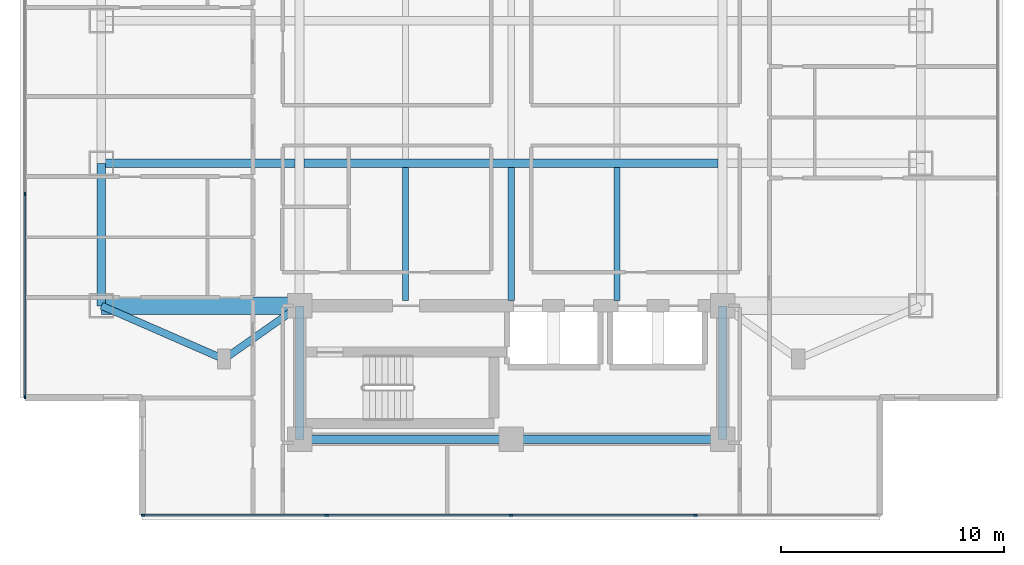
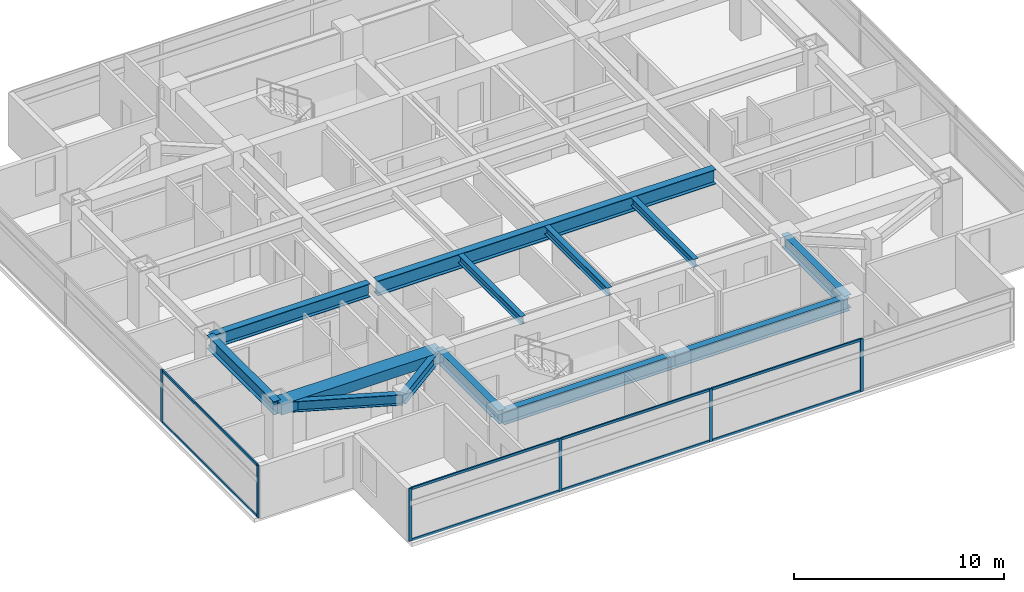
# One storey, part 2 of 24: 14 members, 13 beams, 2 elements without a shape of their own.
"""IFC4 building model written with IfcOpenShell, lengths in metres."""

from ifc_helpers import new_model, si_unit, direction, frame, origin, origin_2d, place, context, subcontext, project, spatial, rectangle, i_section, extrude, material, material_profile, profile_set, type_object, element, aggregate, save


model = new_model("IFC4")

# Units and contexts
model_context = context("Model", 3, precision=1e-05, world=origin(), true_north=direction((0.0, 1.0)))
body_context = subcontext(model_context, "Body", "Model", "MODEL_VIEW")
ifc_project = project(units=[si_unit("LENGTHUNIT", "METRE"), si_unit("AREAUNIT", "SQUARE_METRE"), si_unit("VOLUMEUNIT", "CUBIC_METRE"), si_unit("PLANEANGLEUNIT", "RADIAN"), si_unit("MASSUNIT", "GRAM", prefix="KILO")], contexts=[model_context])

# Site, building, storey
site_placement = place(None, origin())
site = spatial("IfcSite", under=ifc_project, at=site_placement, CompositionType="ELEMENT")
building_placement = place(site_placement, origin())
building = spatial("IfcBuilding", under=site, at=building_placement, Name="Mirazonda Arch Towers", CompositionType="ELEMENT")
storey_placement = place(building_placement, frame((0.0, 0.0, 141.199951171875)))
storey = spatial("IfcBuildingStorey", under=building, at=storey_placement, Name="L40", CompositionType="ELEMENT", Elevation=141.199951171875)

# Beams
ifc_material_1 = material(Name="Steel ASTM A992 Grade 50", Category="steel")
ifc_material_profile_1 = material_profile(ifc_material_1, i_section(OverallWidth=0.381103515625, OverallDepth=0.77294921875, WebThickness=0.0166015625, FlangeThickness=0.027099609375, at=origin_2d()), Name="W30X173")
ifc_profile_set_1 = profile_set([ifc_material_profile_1], Name="Steel ASTM A992 Grade 50")
beam_type_1 = type_object("IfcBeamType", Name="BM-EXT-W30X173", PredefinedType="USERDEFINED", material=ifc_profile_set_1)
beam_1_placement = place(storey_placement, frame((2.10009765625, 18.39990234375, 2.693603515625), z_axis=(0.0, 1.0, 0.0), x_axis=(-1.0, 0.0, 0.0)))
element("IfcBeam", 1, at=beam_1_placement, inside=storey, type_object=beam_type_1, Name="L40 Floor Beam BM-T1-L40-NS-W-18", ObjectType="GIRDER", PredefinedType="USERDEFINED", context=body_context, shape_type="SweptSolid", body=[
    extrude(i_section(OverallWidth=0.381103515625, OverallDepth=0.77294921875, WebThickness=0.0166015625, FlangeThickness=0.027099609375, at=origin_2d()), origin(), (0.0, 0.0, 1.0), 6.400146484375),
])
ifc_material_profile_2 = material_profile(ifc_material_1, i_section(OverallWidth=0.280029296875, OverallDepth=0.462890625, WebThickness=0.0107421875, FlangeThickness=0.017333984375, at=origin_2d()), Name="W18X76")
ifc_profile_set_2 = profile_set([ifc_material_profile_2], Name="Steel ASTM A992 Grade 50")
beam_type_2 = type_object("IfcBeamType", Name="BM-INT-W18X76", PredefinedType="JOIST", material=ifc_profile_set_2)
for number, where, z_axis, x_axis, name in (
    (2, (15.75, 18.639892578125, 2.8486328125), (0.0, 1.0, 0.0), (-1.0, 0.0, 0.0), "L40 Floor Beam BM-T1-L40-J-157-18"),
    (3, (20.5, 18.639892578125, 2.8486328125), (0.0, 1.0, 0.0), (-1.0, 0.0, 0.0), "L40 Floor Beam BM-T1-L40-J-205-18"),
    (4, (25.25, 18.639892578125, 2.8486328125), (0.0, 1.0, 0.0), (-1.0, 0.0, 0.0), "L40 Floor Beam BM-T1-L40-J-252-18"),
):
    element("IfcBeam", number, at=place(storey_placement, frame(where, z_axis=z_axis, x_axis=x_axis)), inside=storey, type_object=beam_type_2, Name=name, PredefinedType="JOIST", context=body_context, shape_type="SweptSolid", body=[
        extrude(i_section(OverallWidth=0.280029296875, OverallDepth=0.462890625, WebThickness=0.0107421875, FlangeThickness=0.017333984375, at=origin_2d()), origin(), (0.0, 0.0, 1.0), 5.964111328125),
    ])
ifc_material_profile_3 = material_profile(ifc_material_1, i_section(OverallWidth=0.324951171875, OverallDepth=0.615966796875, WebThickness=0.013916015625, FlangeThickness=0.021484375, at=origin_2d()), Name="W24X117")
ifc_profile_set_3 = profile_set([ifc_material_profile_3], Name="Steel ASTM A992 Grade 50")
beam_type_3 = type_object("IfcBeamType", Name="BM-INT-W24X117", PredefinedType="BEAM", material=ifc_profile_set_3)
beam_2_placement = place(storey_placement, frame((7.60009765625, 16.0, 2.77197265625), z_axis=(0.816971114901, 0.576678591087, 0.0), x_axis=(-0.576678591087, 0.816971114901, 0.0)))
element("IfcBeam", 5, at=beam_2_placement, inside=storey, type_object=beam_type_3, Name="L40 Floor Beam BM-T1-L40-PL-SW1", PredefinedType="BEAM", context=body_context, shape_type="SweptSolid", body=[
    extrude(i_section(OverallWidth=0.324951171875, OverallDepth=0.615966796875, WebThickness=0.013916015625, FlangeThickness=0.021484375, at=origin_2d()), origin(), (0.0, 0.0, 1.0), 4.16162109375),
])
beam_3_placement = place(storey_placement, frame((7.60009765625, 16.0, 2.77197265625), z_axis=(-0.916545343703, 0.399930785183, 0.0), x_axis=(-0.399930785183, -0.916545343703, 0.0)))
element("IfcBeam", 6, at=beam_3_placement, inside=storey, type_object=beam_type_3, Name="L40 Floor Beam BM-T1-L40-PL-SW2", PredefinedType="BEAM", context=body_context, shape_type="SweptSolid", body=[
    extrude(i_section(OverallWidth=0.324951171875, OverallDepth=0.615966796875, WebThickness=0.013916015625, FlangeThickness=0.021484375, at=origin_2d()), origin(), (0.0, 0.0, 1.0), 6.000732421875),
])
ifc_material_profile_4 = material_profile(ifc_material_1, i_section(OverallWidth=0.381103515625, OverallDepth=0.77294921875, WebThickness=0.0166015625, FlangeThickness=0.027099609375, at=origin_2d()), Name="W30X173")
ifc_profile_set_4 = profile_set([ifc_material_profile_4], Name="Steel ASTM A992 Grade 50")
beam_type_4 = type_object("IfcBeamType", Name="BM-INT-W30X173", PredefinedType="USERDEFINED", material=ifc_profile_set_4)
beam_4_placement = place(storey_placement, frame((2.10009765625, 24.800048828125, 2.693603515625), z_axis=(1.0, 0.0, 0.0), x_axis=(0.0, 1.0, 0.0)))
element("IfcBeam", 7, at=beam_4_placement, inside=storey, type_object=beam_type_4, Name="L40 Floor Beam BM-T1-L40-GW2", ObjectType="GIRDER", PredefinedType="USERDEFINED", context=body_context, shape_type="SweptSolid", body=[
    extrude(i_section(OverallWidth=0.381103515625, OverallDepth=0.77294921875, WebThickness=0.0166015625, FlangeThickness=0.027099609375, at=origin_2d()), origin(), (0.0, 0.0, 1.0), 8.699951171875),
])
for number, where, z_axis, x_axis, name in (
    (8, (11.0, 12.39990234375, 2.693603515625), (1.0, 0.0, 0.0), (0.0, 1.0, 0.0), "L40 Floor Beam BM-T1-L40-CS1"),
    (9, (20.5, 12.39990234375, 2.693603515625), (1.0, 0.0, 0.0), (0.0, 1.0, 0.0), "L40 Floor Beam BM-T1-L40-CS2"),
):
    element("IfcBeam", number, at=place(storey_placement, frame(where, z_axis=z_axis, x_axis=x_axis)), inside=storey, type_object=beam_type_4, Name=name, ObjectType="GIRDER", PredefinedType="USERDEFINED", context=body_context, shape_type="SweptSolid", body=[
        extrude(i_section(OverallWidth=0.381103515625, OverallDepth=0.77294921875, WebThickness=0.0166015625, FlangeThickness=0.027099609375, at=origin_2d()), origin(), (0.0, 0.0, 1.0), 9.5),
    ])
for number, where, z_axis, x_axis, name in (
    (10, (11.0, 12.39990234375, 2.693603515625), (0.0, 1.0, 0.0), (-1.0, 0.0, 0.0), "L40 Floor Beam BM-T1-L40-CSW"),
    (11, (30.0, 12.39990234375, 2.693603515625), (0.0, 1.0, 0.0), (-1.0, 0.0, 0.0), "L40 Floor Beam BM-T1-L40-CSE"),
):
    element("IfcBeam", number, at=place(storey_placement, frame(where, z_axis=z_axis, x_axis=x_axis)), inside=storey, type_object=beam_type_4, Name=name, ObjectType="GIRDER", PredefinedType="USERDEFINED", context=body_context, shape_type="SweptSolid", body=[
        extrude(i_section(OverallWidth=0.381103515625, OverallDepth=0.77294921875, WebThickness=0.0166015625, FlangeThickness=0.027099609375, at=origin_2d()), origin(), (0.0, 0.0, 1.0), 6.0),
    ])
ifc_material_profile_5 = material_profile(ifc_material_1, i_section(OverallWidth=0.39990234375, OverallDepth=0.85595703125, WebThickness=0.018310546875, FlangeThickness=0.029296875, at=origin_2d()), Name="W33X201")
ifc_profile_set_5 = profile_set([ifc_material_profile_5], Name="Steel ASTM A992 Grade 50")
beam_type_5 = type_object("IfcBeamType", Name="BM-INT-W33X201", PredefinedType="USERDEFINED", material=ifc_profile_set_5)
beam_5_placement = place(storey_placement, frame((11.199951171875, 24.800048828125, 2.652099609375), z_axis=(1.0, 0.0, 0.0), x_axis=(0.0, 1.0, 0.0)))
element("IfcBeam", 12, at=beam_5_placement, inside=storey, type_object=beam_type_5, Name="L40 Floor Beam BM-T1-L40-GC2", ObjectType="GIRDER", PredefinedType="USERDEFINED", context=body_context, shape_type="SweptSolid", body=[
    extrude(i_section(OverallWidth=0.39990234375, OverallDepth=0.85595703125, WebThickness=0.018310546875, FlangeThickness=0.029296875, at=origin_2d()), origin(), (0.0, 0.0, 1.0), 18.60009765625),
])
ifc_material_2 = material(Name="Concrete C60/75", Category="concrete")
ifc_material_profile_6 = material_profile(ifc_material_2, rectangle(XDim=0.800048828125, YDim=0.60009765625, at=origin_2d()), Name="RCCB800x600")
ifc_profile_set_6 = profile_set([ifc_material_profile_6], Name="Concrete C60/75")
beam_type_6 = type_object("IfcBeamType", Name="CB-INT-RCCB800x600", PredefinedType="SPANDREL", material=ifc_profile_set_6)
beam_6_placement = place(storey_placement, frame((2.10009765625, 18.39990234375, 2.780029296875), z_axis=(1.0, 0.0, 0.0), x_axis=(0.0, 1.0, 0.0)))
element("IfcBeam", 13, at=beam_6_placement, inside=storey, type_object=beam_type_6, Name="L40 Floor Beam CBC-T1-L40-SW", PredefinedType="SPANDREL", context=body_context, shape_type="SweptSolid", body=[
    extrude(rectangle(XDim=0.800048828125, YDim=0.60009765625, at=origin_2d()), origin(), (0.0, 0.0, 1.0), 8.89990234375),
])

# Curtain wall, members
ifc_material_3 = material(Name="Anodised Aluminium and Low-E Glass", Category="aluminium")
curtain_wall_type = type_object("IfcCurtainWallType", Name="CW-HTL-UNIT", PredefinedType="NOTDEFINED", material=ifc_material_3)
curtain_wall_1_placement = place(storey_placement, origin())
curtain_wall_1 = element("IfcCurtainWall", 14, at=curtain_wall_1_placement, inside=storey, type_object=curtain_wall_type, Name="L40 T1 S Facade CW-L40-T1-S", PredefinedType="NOTDEFINED")
ifc_material_4 = material(Name="Anodised Aluminium Alloy", Category="aluminium")
ifc_material_profile_7 = material_profile(ifc_material_4, rectangle(XDim=0.074951171875, YDim=0.1650390625, at=origin_2d()), Name="ALU-MULL-75x165")
ifc_profile_set_7 = profile_set([ifc_material_profile_7], Name="Anodised Aluminium Alloy")
member_type_1 = type_object("IfcMemberType", Name="MULL-CW-HTL-UNIT", PredefinedType="MULLION", material=ifc_profile_set_7)
member_1_placement = place(storey_placement, frame((28.784912109375, 8.993896484375, 0.0), z_axis=(0.0, 0.0, 1.0), x_axis=(0.0, -1.0, 0.0)))
member_1 = element("IfcMember", 15, at=member_1_placement, type_object=member_type_1, Name="CW-112 mullion 2", PredefinedType="MULLION", context=body_context, shape_type="SweptSolid", body=[
    extrude(rectangle(XDim=0.074951171875, YDim=0.1650390625, at=origin_2d()), origin(), (0.0, 0.0, 1.0), 3.06005859375),
])
member_2_placement = place(storey_placement, frame((20.5, 8.993896484375, 0.0), z_axis=(0.0, 0.0, 1.0), x_axis=(0.0, -1.0, 0.0)))
member_2 = element("IfcMember", 16, at=member_2_placement, type_object=member_type_1, Name="CW-112 mullion 3", PredefinedType="MULLION", context=body_context, shape_type="SweptSolid", body=[
    extrude(rectangle(XDim=0.074951171875, YDim=0.1650390625, at=origin_2d()), origin(), (0.0, 0.0, 1.0), 3.06005859375),
])
member_3_placement = place(storey_placement, frame((12.215087890625, 8.993896484375, 0.0), z_axis=(0.0, 0.0, 1.0), x_axis=(0.0, -1.0, 0.0)))
member_3 = element("IfcMember", 17, at=member_3_placement, type_object=member_type_1, Name="CW-112 mullion 4", PredefinedType="MULLION", context=body_context, shape_type="SweptSolid", body=[
    extrude(rectangle(XDim=0.074951171875, YDim=0.1650390625, at=origin_2d()), origin(), (0.0, 0.0, 1.0), 3.06005859375),
])
member_4_placement = place(storey_placement, frame((3.967529296875, 8.993896484375, 0.0), z_axis=(0.0, 0.0, 1.0), x_axis=(0.0, -1.0, 0.0)))
member_4 = element("IfcMember", 18, at=member_4_placement, type_object=member_type_1, Name="CW-112 mullion 5", PredefinedType="MULLION", context=body_context, shape_type="SweptSolid", body=[
    extrude(rectangle(XDim=0.074951171875, YDim=0.1650390625, at=origin_2d()), origin(), (0.0, 0.0, 1.0), 3.06005859375),
])

curtain_wall_2_placement = place(storey_placement, origin())
curtain_wall_2 = element("IfcCurtainWall", 19, at=curtain_wall_2_placement, inside=storey, type_object=curtain_wall_type, Name="L40 T1 W Facade CW-L40-T1-W", PredefinedType="NOTDEFINED")
member_5_placement = place(storey_placement, frame((-1.340087890625, 23.42138671875, 0.0), z_axis=(0.0, 0.0, 1.0), x_axis=(1.0, 0.0, 0.0)))
member_5 = element("IfcMember", 20, at=member_5_placement, type_object=member_type_1, Name="CW-112 mullion 3", PredefinedType="MULLION", context=body_context, shape_type="SweptSolid", body=[
    extrude(rectangle(XDim=0.074951171875, YDim=0.1650390625, at=origin_2d()), origin(), (0.0, 0.0, 1.0), 3.06005859375),
])
member_6_placement = place(storey_placement, frame((-1.340087890625, 14.301513671875, 0.0), z_axis=(0.0, 0.0, 1.0), x_axis=(1.0, 0.0, 0.0)))
member_6 = element("IfcMember", 21, at=member_6_placement, type_object=member_type_1, Name="CW-112 mullion 4", PredefinedType="MULLION", context=body_context, shape_type="SweptSolid", body=[
    extrude(rectangle(XDim=0.074951171875, YDim=0.1650390625, at=origin_2d()), origin(), (0.0, 0.0, 1.0), 3.06005859375),
])

# Member
ifc_material_profile_8 = material_profile(ifc_material_4, rectangle(XDim=0.074951171875, YDim=0.14501953125, at=origin_2d()), Name="ALU-TRAN-75x145")
ifc_profile_set_8 = profile_set([ifc_material_profile_8], Name="Anodised Aluminium Alloy")
member_type_2 = type_object("IfcMemberType", Name="TRAN-CW-HTL-UNIT", PredefinedType="USERDEFINED", material=ifc_profile_set_8)
member_7_placement = place(storey_placement, frame((28.74755859375, 8.993896484375, 0.03759765625), z_axis=(-1.0, 0.0, 0.0), x_axis=(0.0, -1.0, 0.0)))
member_7 = element("IfcMember", 22, at=member_7_placement, type_object=member_type_2, Name="CW-112 transom 2.1", ObjectType="TRANSOM", PredefinedType="USERDEFINED", context=body_context, shape_type="SweptSolid", body=[
    extrude(rectangle(XDim=0.074951171875, YDim=0.14501953125, at=origin_2d()), origin(), (0.0, 0.0, 1.0), 8.2099609375),
])

member_8_placement = place(storey_placement, frame((28.74755859375, 8.993896484375, 3.0224609375), z_axis=(-1.0, 0.0, 0.0), x_axis=(0.0, -1.0, 0.0)))
member_8 = element("IfcMember", 23, at=member_8_placement, type_object=member_type_2, Name="CW-112 transom 2.2", ObjectType="TRANSOM", PredefinedType="USERDEFINED", context=body_context, shape_type="SweptSolid", body=[
    extrude(rectangle(XDim=0.074951171875, YDim=0.14501953125, at=origin_2d()), origin(), (0.0, 0.0, 1.0), 8.2099609375),
])

member_9_placement = place(storey_placement, frame((20.46240234375, 8.993896484375, 0.03759765625), z_axis=(-1.0, 0.0, 0.0), x_axis=(0.0, -1.0, 0.0)))
member_9 = element("IfcMember", 24, at=member_9_placement, type_object=member_type_2, Name="CW-112 transom 3.1", ObjectType="TRANSOM", PredefinedType="USERDEFINED", context=body_context, shape_type="SweptSolid", body=[
    extrude(rectangle(XDim=0.074951171875, YDim=0.14501953125, at=origin_2d()), origin(), (0.0, 0.0, 1.0), 8.2099609375),
])

member_10_placement = place(storey_placement, frame((20.46240234375, 8.993896484375, 3.0224609375), z_axis=(-1.0, 0.0, 0.0), x_axis=(0.0, -1.0, 0.0)))
member_10 = element("IfcMember", 25, at=member_10_placement, type_object=member_type_2, Name="CW-112 transom 3.2", ObjectType="TRANSOM", PredefinedType="USERDEFINED", context=body_context, shape_type="SweptSolid", body=[
    extrude(rectangle(XDim=0.074951171875, YDim=0.14501953125, at=origin_2d()), origin(), (0.0, 0.0, 1.0), 8.2099609375),
])

member_11_placement = place(storey_placement, frame((12.177490234375, 8.993896484375, 0.03759765625), z_axis=(-1.0, 0.0, 0.0), x_axis=(0.0, -1.0, 0.0)))
member_11 = element("IfcMember", 26, at=member_11_placement, type_object=member_type_2, Name="CW-112 transom 4.1", ObjectType="TRANSOM", PredefinedType="USERDEFINED", context=body_context, shape_type="SweptSolid", body=[
    extrude(rectangle(XDim=0.074951171875, YDim=0.14501953125, at=origin_2d()), origin(), (0.0, 0.0, 1.0), 8.172607421875),
])

member_12_placement = place(storey_placement, frame((12.177490234375, 8.993896484375, 3.0224609375), z_axis=(-1.0, 0.0, 0.0), x_axis=(0.0, -1.0, 0.0)))
member_12 = element("IfcMember", 27, at=member_12_placement, type_object=member_type_2, Name="CW-112 transom 4.2", ObjectType="TRANSOM", PredefinedType="USERDEFINED", context=body_context, shape_type="SweptSolid", body=[
    extrude(rectangle(XDim=0.074951171875, YDim=0.14501953125, at=origin_2d()), origin(), (0.0, 0.0, 1.0), 8.172607421875),
])

aggregate(curtain_wall_1, [member_1, member_2, member_3, member_4, member_7, member_8, member_9, member_10, member_11, member_12])

member_13_placement = place(storey_placement, frame((-1.340087890625, 23.3837890625, 0.03759765625), z_axis=(0.0, -1.0, 0.0), x_axis=(1.0, 0.0, 0.0)))
member_13 = element("IfcMember", 28, at=member_13_placement, type_object=member_type_2, Name="CW-112 transom 3.1", ObjectType="TRANSOM", PredefinedType="USERDEFINED", context=body_context, shape_type="SweptSolid", body=[
    extrude(rectangle(XDim=0.074951171875, YDim=0.14501953125, at=origin_2d()), origin(), (0.0, 0.0, 1.0), 9.044677734375),
])

member_14_placement = place(storey_placement, frame((-1.340087890625, 23.3837890625, 3.0224609375), z_axis=(0.0, -1.0, 0.0), x_axis=(1.0, 0.0, 0.0)))
member_14 = element("IfcMember", 29, at=member_14_placement, type_object=member_type_2, Name="CW-112 transom 3.2", ObjectType="TRANSOM", PredefinedType="USERDEFINED", context=body_context, shape_type="SweptSolid", body=[
    extrude(rectangle(XDim=0.074951171875, YDim=0.14501953125, at=origin_2d()), origin(), (0.0, 0.0, 1.0), 9.044677734375),
])

aggregate(curtain_wall_2, [member_5, member_6, member_13, member_14])

save(model, "model.ifc")
